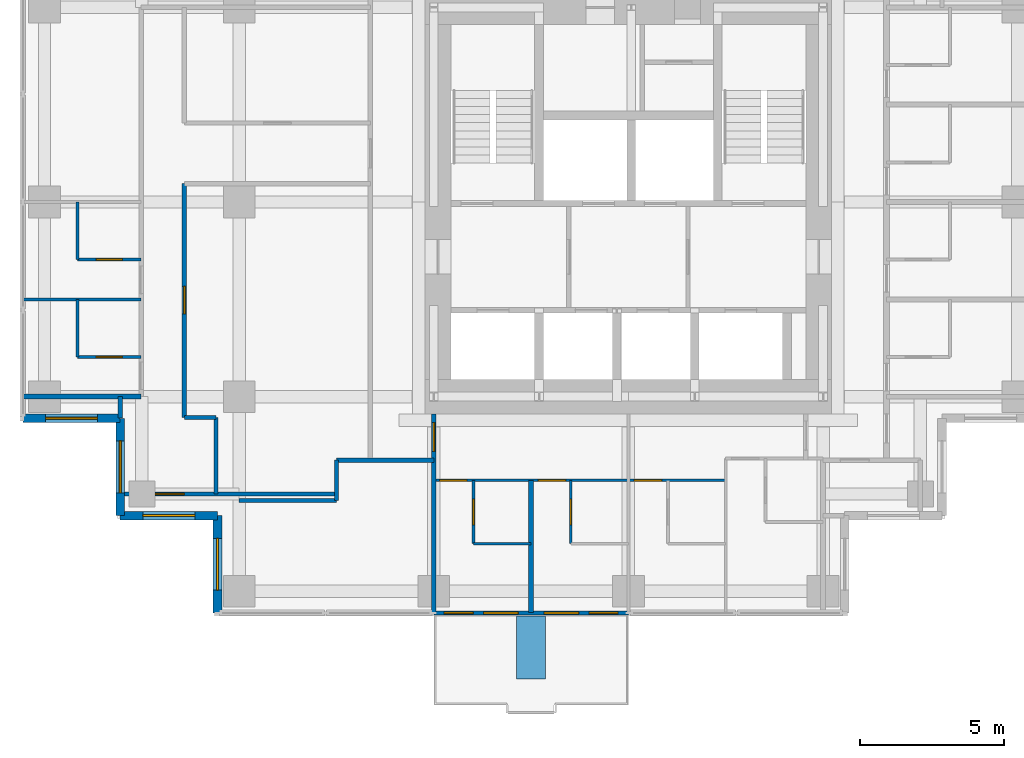
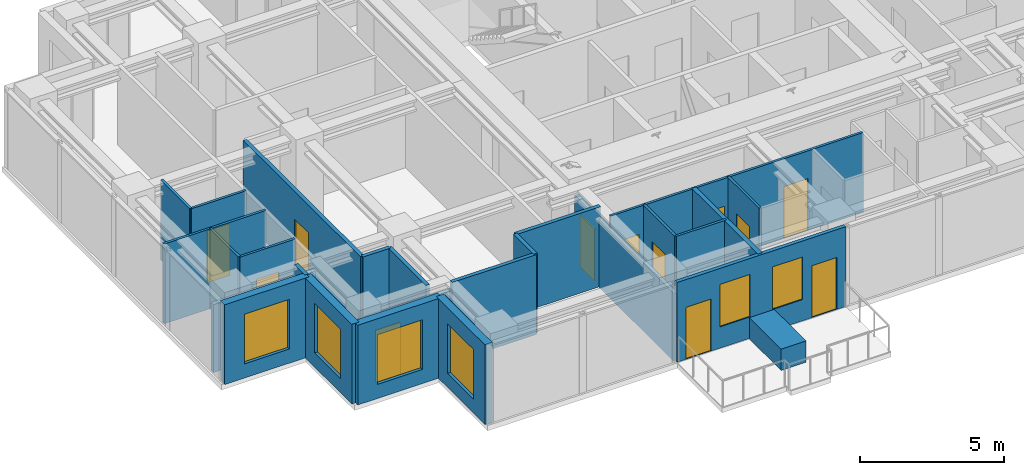
# One storey, part 3 of 8: 26 walls, 12 doors, 6 windows, 18 openings.
"""IFC4 building model written with IfcOpenShell, lengths in metres."""

from ifc_helpers import new_model, si_unit, direction, frame, frame_2d, origin, place, context, subcontext, project, spatial, rectangle, extrude, material, layer, layer_set, type_object, element, fill, save


model = new_model("IFC4")

# Units and contexts
model_context = context("Model", 3, precision=1e-05, world=origin(), true_north=direction((0.0, 1.0)))
body_context = subcontext(model_context, "Body", "Model", "MODEL_VIEW")
ifc_project = project(units=[si_unit("LENGTHUNIT", "METRE"), si_unit("AREAUNIT", "SQUARE_METRE"), si_unit("VOLUMEUNIT", "CUBIC_METRE"), si_unit("PLANEANGLEUNIT", "RADIAN"), si_unit("MASSUNIT", "GRAM", prefix="KILO")], contexts=[model_context])

# Site, building, storey
site_placement = place(None, origin())
site = spatial("IfcSite", under=ifc_project, at=site_placement, CompositionType="ELEMENT")
building_placement = place(site_placement, origin())
building = spatial("IfcBuilding", under=site, at=building_placement, Name="Nyansa Garden Tower", CompositionType="ELEMENT")
storey_placement = place(building_placement, frame((0.0, 0.0, 225.89990234375)))
storey = spatial("IfcBuildingStorey", under=building, at=storey_placement, Name="L61", CompositionType="ELEMENT", Elevation=225.89990234375)

# Walls
ifc_material_1 = material(Name="Dense blockwork, plastered both sides, 55 dB", Category="masonry")
ifc_layer_1 = layer(ifc_material_1, 0.175048828125)
ifc_layer_set_1 = layer_set([ifc_layer_1], Name="Acoustic party wall PW175")
wall_type_1 = type_object("IfcWallType", Name="Acoustic party wall PW175", PredefinedType="PARTITIONING", material=ifc_layer_set_1)
wall_1_placement = place(storey_placement, frame((-0.73388671875, 13.5, 0.0), z_axis=(0.0, 0.0, 1.0), x_axis=(1.0, 0.0, 0.0)))
element("IfcWall", 1, at=wall_1_placement, inside=storey, type_object=wall_type_1, Name="Party wall", PredefinedType="PARTITIONING", context=body_context, shape_type="SweptSolid", body=[
    extrude(rectangle(XDim=4.083984375, YDim=0.175048828125, at=frame_2d((2.0419921875, 0.0))), origin(), (0.0, 0.0, 1.0), 2.877197265625),
])
wall_2_placement = place(storey_placement, frame((16.875, 6.01611328125, 0.0), z_axis=(0.0, 0.0, 1.0), x_axis=(0.0, 1.0, 0.0)))
element("IfcWall", 2, at=wall_2_placement, inside=storey, type_object=wall_type_1, Name="Party wall", PredefinedType="PARTITIONING", context=body_context, shape_type="SweptSolid", body=[
    extrude(rectangle(XDim=4.583984375, YDim=0.175048828125, at=frame_2d((2.2919921875, 0.0))), origin(), (0.0, 0.0, 1.0), 3.375),
])

# Wall, openings, doors, windows
ifc_material_2 = material(Name="Black aluminium framed glazed screen", Category="aluminium")
ifc_layer_2 = layer(ifc_material_2, 0.14990234375)
ifc_layer_set_2 = layer_set([ifc_layer_2], Name="Balcony screen wall BW150")
wall_type_2 = type_object("IfcWallType", Name="Balcony screen wall BW150", PredefinedType="SOLIDWALL", material=ifc_layer_set_2)
wall_3_placement = place(storey_placement, frame((20.25, 6.0, 0.0), z_axis=(0.0, 0.0, 1.0), x_axis=(-1.0, 0.0, 0.0)))
wall_3 = element("IfcWall", 3, at=wall_3_placement, inside=storey, type_object=wall_type_2, Name="Glazed screen wall L61 S", PredefinedType="SOLIDWALL", context=body_context, shape_type="SweptSolid", body=[
    extrude(rectangle(XDim=6.75, YDim=0.14990234375, at=frame_2d((3.375, 0.0))), origin(), (0.0, 0.0, 1.0), 3.375),
])
opening_1_placement = place(wall_3_placement, frame((0.362548828125, 0.0, 0.0)))
opening_1 = element("IfcOpeningElement", 4, at=opening_1_placement, cuts=wall_3, Name="Opening D20", PredefinedType="OPENING", context=body_context, shape_type="SweptSolid", body=[
    extrude(rectangle(XDim=1.0, YDim=2.199951171875, at=frame_2d((0.5, 1.10009765625))), frame((0.0, 0.0849609375, 0.0), z_axis=(0.0, -1.0, 0.0), x_axis=(1.0, 0.0, 0.0)), (0.0, 0.0, 1.0), 0.169921875),
])
opening_2_placement = place(wall_3_placement, frame((1.72509765625, 0.0, 0.89990234375)))
opening_2 = element("IfcOpeningElement", 5, at=opening_2_placement, cuts=wall_3, Name="Opening W6", PredefinedType="OPENING", context=body_context, shape_type="SweptSolid", body=[
    extrude(rectangle(XDim=1.199951171875, YDim=1.800048828125, at=frame_2d((0.60009765625, 0.89990234375))), frame((0.0, 0.0849609375, 0.0), z_axis=(0.0, -1.0, 0.0), x_axis=(1.0, 0.0, 0.0)), (0.0, 0.0, 1.0), 0.169921875),
])
opening_3_placement = place(wall_3_placement, frame((5.387451171875, 0.0, 0.0)))
opening_3 = element("IfcOpeningElement", 6, at=opening_3_placement, cuts=wall_3, Name="Opening D20", PredefinedType="OPENING", context=body_context, shape_type="SweptSolid", body=[
    extrude(rectangle(XDim=1.0, YDim=2.199951171875, at=frame_2d((0.5, 1.10009765625))), frame((0.0, 0.0849609375, 0.0), z_axis=(0.0, -1.0, 0.0), x_axis=(1.0, 0.0, 0.0)), (0.0, 0.0, 1.0), 0.169921875),
])
opening_4_placement = place(wall_3_placement, frame((3.824951171875, 0.0, 0.89990234375)))
opening_4 = element("IfcOpeningElement", 7, at=opening_4_placement, cuts=wall_3, Name="Opening W6", PredefinedType="OPENING", context=body_context, shape_type="SweptSolid", body=[
    extrude(rectangle(XDim=1.199951171875, YDim=1.800048828125, at=frame_2d((0.60009765625, 0.89990234375))), frame((0.0, 0.0849609375, 0.0), z_axis=(0.0, -1.0, 0.0), x_axis=(1.0, 0.0, 0.0)), (0.0, 0.0, 1.0), 0.169921875),
])
ifc_material_3 = material(Name="Black aluminium framed glazed door", Category="aluminium")
door_type_1 = type_object("IfcDoorType", Name="Balcony door D20 1000x2200", OperationType="NOTDEFINED", PredefinedType="DOOR", material=ifc_material_3)
door_1_placement = place(opening_1_placement, origin())
door_1 = element("IfcDoor", 8, at=door_1_placement, inside=storey, type_object=door_type_1, Name="Balcony door L61", OperationType="SINGLE_SWING_LEFT", OverallHeight=2.199951171875, OverallWidth=1.0, PredefinedType="DOOR", context=body_context, shape_type="SweptSolid", body=[
    extrude(rectangle(XDim=1.0, YDim=2.199951171875, at=frame_2d((0.5, 1.10009765625))), frame((0.0, 0.02490234375, 0.0), z_axis=(0.0, -1.0, 0.0), x_axis=(1.0, 0.0, 0.0)), (0.0, 0.0, 1.0), 0.050048828125),
])
fill(opening_1, door_1)
door_2_placement = place(opening_3_placement, origin())
door_2 = element("IfcDoor", 9, at=door_2_placement, inside=storey, type_object=door_type_1, Name="Balcony door L61", OperationType="SINGLE_SWING_RIGHT", OverallHeight=2.199951171875, OverallWidth=1.0, PredefinedType="DOOR", context=body_context, shape_type="SweptSolid", body=[
    extrude(rectangle(XDim=1.0, YDim=2.199951171875, at=frame_2d((0.5, 1.10009765625))), frame((0.0, 0.02490234375, 0.0), z_axis=(0.0, -1.0, 0.0), x_axis=(1.0, 0.0, 0.0)), (0.0, 0.0, 1.0), 0.050048828125),
])
fill(opening_3, door_2)
ifc_material_4 = material(Name="Black aluminium frame, dark tinted double glazing", Category="aluminium")
window_type_1 = type_object("IfcWindowType", Name="Balcony window W6 1200x1800", PartitioningType="SINGLE_PANEL", PredefinedType="WINDOW", material=ifc_material_4)
window_1_placement = place(opening_2_placement, origin())
window_1 = element("IfcWindow", 10, at=window_1_placement, inside=storey, type_object=window_type_1, Name="Window L61", OverallHeight=1.800048828125, OverallWidth=1.199951171875, PartitioningType="SINGLE_PANEL", PredefinedType="WINDOW", context=body_context, shape_type="SweptSolid", body=[
    extrude(rectangle(XDim=1.199951171875, YDim=1.800048828125, at=frame_2d((0.60009765625, 0.89990234375))), frame((0.0, 0.030029296875, 0.0), z_axis=(0.0, -1.0, 0.0), x_axis=(1.0, 0.0, 0.0)), (0.0, 0.0, 1.0), 0.06005859375),
])
fill(opening_2, window_1)
window_2_placement = place(opening_4_placement, origin())
window_2 = element("IfcWindow", 11, at=window_2_placement, inside=storey, type_object=window_type_1, Name="Window L61", OverallHeight=1.800048828125, OverallWidth=1.199951171875, PartitioningType="SINGLE_PANEL", PredefinedType="WINDOW", context=body_context, shape_type="SweptSolid", body=[
    extrude(rectangle(XDim=1.199951171875, YDim=1.800048828125, at=frame_2d((0.60009765625, 0.89990234375))), frame((0.0, 0.030029296875, 0.0), z_axis=(0.0, -1.0, 0.0), x_axis=(1.0, 0.0, 0.0)), (0.0, 0.0, 1.0), 0.06005859375),
])
fill(opening_4, window_2)

# Wall
ifc_material_5 = material(Name="Blockwork, plastered both sides", Category="masonry")
ifc_layer_3 = layer(ifc_material_5, 0.14990234375)
ifc_layer_set_3 = layer_set([ifc_layer_3], Name="Partition PW150")
wall_type_3 = type_object("IfcWallType", Name="Partition PW150", PredefinedType="PARTITIONING", material=ifc_layer_set_3)
wall_4_placement = place(storey_placement, frame((2.625, 12.76611328125, 0.0), z_axis=(0.0, 0.0, 1.0), x_axis=(0.0, 1.0, 0.0)))
element("IfcWall", 12, at=wall_4_placement, inside=storey, type_object=wall_type_3, Name="Partition", PredefinedType="PARTITIONING", context=body_context, shape_type="SweptSolid", body=[
    extrude(rectangle(XDim=0.73388671875, YDim=0.14990234375, at=frame_2d((0.366943359375, 0.0))), origin(), (0.0, 0.0, 1.0), 3.375),
])

# Wall, opening, door
wall_5_placement = place(storey_placement, frame((2.77490234375, 10.125, 0.0), z_axis=(0.0, 0.0, 1.0), x_axis=(1.0, 0.0, 0.0)))
wall_5 = element("IfcWall", 13, at=wall_5_placement, inside=storey, type_object=wall_type_3, Name="Partition", PredefinedType="PARTITIONING", context=body_context, shape_type="SweptSolid", body=[
    extrude(rectangle(XDim=7.35009765625, YDim=0.14990234375, at=frame_2d((3.675048828125, 0.0))), origin(), (0.0, 0.0, 1.0), 2.877197265625),
])
opening_5_placement = place(wall_5_placement, frame((1.06591796875, 0.0, 0.0)))
opening_5 = element("IfcOpeningElement", 14, at=opening_5_placement, cuts=wall_5, Name="Opening D03", PredefinedType="OPENING", context=body_context, shape_type="SweptSolid", body=[
    extrude(rectangle(XDim=1.0, YDim=2.199951171875, at=frame_2d((0.5, 1.10009765625))), frame((0.0, 0.0849609375, 0.0), z_axis=(0.0, -1.0, 0.0), x_axis=(1.0, 0.0, 0.0)), (0.0, 0.0, 1.0), 0.169921875),
])
ifc_material_6 = material(Name="Timber flush door, 60 minute fire resisting", Category="wood")
door_type_2 = type_object("IfcDoorType", Name="Cluster entrance door D03 1000x2200", OperationType="SINGLE_SWING_LEFT", PredefinedType="DOOR", material=ifc_material_6)
door_3_placement = place(opening_5_placement, origin())
door_3 = element("IfcDoor", 15, at=door_3_placement, inside=storey, type_object=door_type_2, Name="Door L61-017", OperationType="SINGLE_SWING_LEFT", OverallHeight=2.199951171875, OverallWidth=1.0, PredefinedType="DOOR", context=body_context, shape_type="SweptSolid", body=[
    extrude(rectangle(XDim=1.0, YDim=2.199951171875, at=frame_2d((0.5, 1.10009765625))), frame((0.0, 0.02490234375, 0.0), z_axis=(0.0, -1.0, 0.0), x_axis=(1.0, 0.0, 0.0)), (0.0, 0.0, 1.0), 0.050048828125),
])
fill(opening_5, door_3)

wall_6_placement = place(storey_placement, frame((4.85009765625, 12.77490234375, 0.0), z_axis=(0.0, 0.0, 1.0), x_axis=(0.0, 1.0, 0.0)))
wall_6 = element("IfcWall", 16, at=wall_6_placement, inside=storey, type_object=wall_type_3, Name="Partition", PredefinedType="PARTITIONING", context=body_context, shape_type="SweptSolid", body=[
    extrude(rectangle(XDim=8.112548828125, YDim=0.14990234375, at=frame_2d((4.05615234375, 0.0))), origin(), (0.0, 0.0, 1.0), 3.375),
])
opening_6_placement = place(wall_6_placement, frame((3.60009765625, 0.0, 0.0)))
opening_6 = element("IfcOpeningElement", 17, at=opening_6_placement, cuts=wall_6, Name="Opening D01", PredefinedType="OPENING", context=body_context, shape_type="SweptSolid", body=[
    extrude(rectangle(XDim=0.949951171875, YDim=2.199951171875, at=frame_2d((0.47509765625, 1.10009765625))), frame((0.0, 0.0849609375, 0.0), z_axis=(0.0, -1.0, 0.0), x_axis=(1.0, 0.0, 0.0)), (0.0, 0.0, 1.0), 0.169921875),
])
ifc_material_7 = material(Name="Timber flush door, 30 minute fire resisting", Category="wood")
door_type_3 = type_object("IfcDoorType", Name="Bedroom door D01 950x2200", OperationType="SINGLE_SWING_LEFT", PredefinedType="DOOR", material=ifc_material_7)
door_4_placement = place(opening_6_placement, origin())
door_4 = element("IfcDoor", 18, at=door_4_placement, inside=storey, type_object=door_type_3, Name="Door L61-054", OperationType="SINGLE_SWING_LEFT", OverallHeight=2.199951171875, OverallWidth=0.949951171875, PredefinedType="DOOR", context=body_context, shape_type="SweptSolid", body=[
    extrude(rectangle(XDim=0.949951171875, YDim=2.199951171875, at=frame_2d((0.47509765625, 1.10009765625))), frame((0.0, 0.02490234375, 0.0), z_axis=(0.0, -1.0, 0.0), x_axis=(1.0, 0.0, 0.0)), (0.0, 0.0, 1.0), 0.050048828125),
])
fill(opening_6, door_4)

# Walls
wall_7_placement = place(storey_placement, frame((4.85009765625, 12.77490234375, 0.0), z_axis=(0.0, 0.0, 1.0), x_axis=(1.0, 0.0, 0.0)))
element("IfcWall", 19, at=wall_7_placement, inside=storey, type_object=wall_type_3, Name="Partition", PredefinedType="PARTITIONING", context=body_context, shape_type="SweptSolid", body=[
    extrude(rectangle(XDim=1.099853515625, YDim=0.14990234375, at=frame_2d((0.5498046875, 0.0))), origin(), (0.0, 0.0, 1.0), 3.375),
])
wall_8_placement = place(storey_placement, frame((5.949951171875, 10.125, 0.0), z_axis=(0.0, 0.0, 1.0), x_axis=(0.0, 1.0, 0.0)))
element("IfcWall", 20, at=wall_8_placement, inside=storey, type_object=wall_type_3, Name="Partition", PredefinedType="PARTITIONING", context=body_context, shape_type="SweptSolid", body=[
    extrude(rectangle(XDim=2.64990234375, YDim=0.14990234375, at=frame_2d((1.324951171875, 0.0))), origin(), (0.0, 0.0, 1.0), 3.375),
])
wall_9_placement = place(storey_placement, frame((6.75, 9.89990234375, 0.0), z_axis=(0.0, 0.0, 1.0), x_axis=(1.0, 0.0, 0.0)))
element("IfcWall", 21, at=wall_9_placement, inside=storey, type_object=wall_type_3, Name="Partition", PredefinedType="PARTITIONING", context=body_context, shape_type="SweptSolid", body=[
    extrude(rectangle(XDim=3.375, YDim=0.14990234375, at=frame_2d((1.6875, 0.0))), origin(), (0.0, 0.0, 1.0), 3.375),
])
wall_10_placement = place(storey_placement, frame((10.125, 9.89990234375, 0.0), z_axis=(0.0, 0.0, 1.0), x_axis=(0.0, 1.0, 0.0)))
element("IfcWall", 22, at=wall_10_placement, inside=storey, type_object=wall_type_3, Name="Partition", PredefinedType="PARTITIONING", context=body_context, shape_type="SweptSolid", body=[
    extrude(rectangle(XDim=1.400146484375, YDim=0.14990234375, at=frame_2d((0.7001953125, 0.0))), origin(), (0.0, 0.0, 1.0), 3.375),
])
wall_11_placement = place(storey_placement, frame((10.125, 11.300048828125, 0.0), z_axis=(0.0, 0.0, 1.0), x_axis=(1.0, 0.0, 0.0)))
element("IfcWall", 23, at=wall_11_placement, inside=storey, type_object=wall_type_3, Name="Partition", PredefinedType="PARTITIONING", context=body_context, shape_type="SweptSolid", body=[
    extrude(rectangle(XDim=3.375, YDim=0.14990234375, at=frame_2d((1.6875, 0.0))), origin(), (0.0, 0.0, 1.0), 3.375),
])

# Wall, opening, door
wall_12_placement = place(storey_placement, frame((13.5, 6.01611328125, 0.0), z_axis=(0.0, 0.0, 1.0), x_axis=(0.0, 1.0, 0.0)))
wall_12 = element("IfcWall", 24, at=wall_12_placement, inside=storey, type_object=wall_type_3, Name="Partition", PredefinedType="PARTITIONING", context=body_context, shape_type="SweptSolid", body=[
    extrude(rectangle(XDim=6.8837890625, YDim=0.14990234375, at=frame_2d((3.44189453125, 0.0))), origin(), (0.0, 0.0, 1.0), 2.877197265625),
])
opening_7_placement = place(wall_12_placement, frame((5.583984375, 0.0, 0.0)))
opening_7 = element("IfcOpeningElement", 25, at=opening_7_placement, cuts=wall_12, Name="Opening D03", PredefinedType="OPENING", context=body_context, shape_type="SweptSolid", body=[
    extrude(rectangle(XDim=1.0, YDim=2.199951171875, at=frame_2d((0.5, 1.10009765625))), frame((0.0, 0.0849609375, 0.0), z_axis=(0.0, -1.0, 0.0), x_axis=(1.0, 0.0, 0.0)), (0.0, 0.0, 1.0), 0.169921875),
])
door_5_placement = place(opening_7_placement, origin())
door_5 = element("IfcDoor", 26, at=door_5_placement, inside=storey, type_object=door_type_2, Name="Door L61-022", OperationType="SINGLE_SWING_LEFT", OverallHeight=2.199951171875, OverallWidth=1.0, PredefinedType="DOOR", context=body_context, shape_type="SweptSolid", body=[
    extrude(rectangle(XDim=1.0, YDim=2.199951171875, at=frame_2d((0.5, 1.10009765625))), frame((0.0, 0.02490234375, 0.0), z_axis=(0.0, -1.0, 0.0), x_axis=(1.0, 0.0, 0.0)), (0.0, 0.0, 1.0), 0.050048828125),
])
fill(opening_7, door_5)

# Wall, opening, window
ifc_material_8 = material(Name="Turquoise glazed tile on concrete blockwork", Category="masonry")
ifc_layer_4 = layer(ifc_material_8, 0.300048828125)
ifc_layer_set_4 = layer_set([ifc_layer_4], Name="Tiled corner wall TW300")
wall_type_4 = type_object("IfcWallType", Name="Tiled corner wall TW300", PredefinedType="SOLIDWALL", material=ifc_layer_set_4)
wall_13_placement = place(storey_placement, frame((-0.75, 12.75, 0.0), z_axis=(0.0, 0.0, 1.0), x_axis=(1.0, 0.0, 0.0)))
wall_13 = element("IfcWall", 27, at=wall_13_placement, inside=storey, type_object=wall_type_4, Name="Tiled corner wall L61", PredefinedType="SOLIDWALL", context=body_context, shape_type="SweptSolid", body=[
    extrude(rectangle(XDim=3.375, YDim=0.300048828125, at=frame_2d((1.6875, 0.0))), origin(), (0.0, 0.0, 1.0), 3.375),
])
opening_8_placement = place(wall_13_placement, frame((0.78759765625, 0.0, 0.60009765625)))
opening_8 = element("IfcOpeningElement", 28, at=opening_8_placement, cuts=wall_13, Name="Opening W2", PredefinedType="OPENING", context=body_context, shape_type="SweptSolid", body=[
    extrude(rectangle(XDim=1.800048828125, YDim=2.10009765625, at=frame_2d((0.89990234375, 1.050048828125))), frame((0.0, 0.159912109375, 0.0), z_axis=(0.0, -1.0, 0.0), x_axis=(1.0, 0.0, 0.0)), (0.0, 0.0, 1.0), 0.320068359375),
])
ifc_material_9 = material(Name="Black aluminium frame, dark tinted double glazing", Category="aluminium")
window_type_2 = type_object("IfcWindowType", Name="Window W2 1800x2100", PartitioningType="SINGLE_PANEL", PredefinedType="WINDOW", material=ifc_material_9)
window_3_placement = place(opening_8_placement, origin())
window_3 = element("IfcWindow", 29, at=window_3_placement, inside=storey, type_object=window_type_2, Name="Corner window L61", OverallHeight=2.10009765625, OverallWidth=1.800048828125, PartitioningType="SINGLE_PANEL", PredefinedType="WINDOW", context=body_context, shape_type="SweptSolid", body=[
    extrude(rectangle(XDim=1.800048828125, YDim=2.10009765625, at=frame_2d((0.89990234375, 1.050048828125))), frame((0.0, 0.030029296875, 0.0), z_axis=(0.0, -1.0, 0.0), x_axis=(1.0, 0.0, 0.0)), (0.0, 0.0, 1.0), 0.06005859375),
])
fill(opening_8, window_3)

wall_14_placement = place(storey_placement, frame((2.625, 12.75, 0.0), z_axis=(0.0, 0.0, 1.0), x_axis=(0.0, -1.0, 0.0)))
wall_14 = element("IfcWall", 30, at=wall_14_placement, inside=storey, type_object=wall_type_4, Name="Tiled corner wall L61", PredefinedType="SOLIDWALL", context=body_context, shape_type="SweptSolid", body=[
    extrude(rectangle(XDim=3.375, YDim=0.300048828125, at=frame_2d((1.6875, 0.0))), origin(), (0.0, 0.0, 1.0), 3.375),
])
opening_9_placement = place(wall_14_placement, frame((0.78759765625, 0.0, 0.60009765625)))
opening_9 = element("IfcOpeningElement", 31, at=opening_9_placement, cuts=wall_14, Name="Opening W2", PredefinedType="OPENING", context=body_context, shape_type="SweptSolid", body=[
    extrude(rectangle(XDim=1.800048828125, YDim=2.10009765625, at=frame_2d((0.89990234375, 1.050048828125))), frame((0.0, 0.159912109375, 0.0), z_axis=(0.0, -1.0, 0.0), x_axis=(1.0, 0.0, 0.0)), (0.0, 0.0, 1.0), 0.320068359375),
])
window_4_placement = place(opening_9_placement, origin())
window_4 = element("IfcWindow", 32, at=window_4_placement, inside=storey, type_object=window_type_2, Name="Corner window L61", OverallHeight=2.10009765625, OverallWidth=1.800048828125, PartitioningType="SINGLE_PANEL", PredefinedType="WINDOW", context=body_context, shape_type="SweptSolid", body=[
    extrude(rectangle(XDim=1.800048828125, YDim=2.10009765625, at=frame_2d((0.89990234375, 1.050048828125))), frame((0.0, 0.030029296875, 0.0), z_axis=(0.0, -1.0, 0.0), x_axis=(1.0, 0.0, 0.0)), (0.0, 0.0, 1.0), 0.06005859375),
])
fill(opening_9, window_4)

wall_15_placement = place(storey_placement, frame((2.625, 9.375, 0.0), z_axis=(0.0, 0.0, 1.0), x_axis=(1.0, 0.0, 0.0)))
wall_15 = element("IfcWall", 33, at=wall_15_placement, inside=storey, type_object=wall_type_4, Name="Tiled corner wall L61", PredefinedType="SOLIDWALL", context=body_context, shape_type="SweptSolid", body=[
    extrude(rectangle(XDim=3.375, YDim=0.300048828125, at=frame_2d((1.6875, 0.0))), origin(), (0.0, 0.0, 1.0), 3.375),
])
opening_10_placement = place(wall_15_placement, frame((0.78759765625, 0.0, 0.60009765625)))
opening_10 = element("IfcOpeningElement", 34, at=opening_10_placement, cuts=wall_15, Name="Opening W2", PredefinedType="OPENING", context=body_context, shape_type="SweptSolid", body=[
    extrude(rectangle(XDim=1.800048828125, YDim=2.10009765625, at=frame_2d((0.89990234375, 1.050048828125))), frame((0.0, 0.159912109375, 0.0), z_axis=(0.0, -1.0, 0.0), x_axis=(1.0, 0.0, 0.0)), (0.0, 0.0, 1.0), 0.320068359375),
])
window_5_placement = place(opening_10_placement, origin())
window_5 = element("IfcWindow", 35, at=window_5_placement, inside=storey, type_object=window_type_2, Name="Corner window L61", OverallHeight=2.10009765625, OverallWidth=1.800048828125, PartitioningType="SINGLE_PANEL", PredefinedType="WINDOW", context=body_context, shape_type="SweptSolid", body=[
    extrude(rectangle(XDim=1.800048828125, YDim=2.10009765625, at=frame_2d((0.89990234375, 1.050048828125))), frame((0.0, 0.030029296875, 0.0), z_axis=(0.0, -1.0, 0.0), x_axis=(1.0, 0.0, 0.0)), (0.0, 0.0, 1.0), 0.06005859375),
])
fill(opening_10, window_5)

wall_16_placement = place(storey_placement, frame((6.0, 9.375, 0.0), z_axis=(0.0, 0.0, 1.0), x_axis=(0.0, -1.0, 0.0)))
wall_16 = element("IfcWall", 36, at=wall_16_placement, inside=storey, type_object=wall_type_4, Name="Tiled corner wall L61", PredefinedType="SOLIDWALL", context=body_context, shape_type="SweptSolid", body=[
    extrude(rectangle(XDim=3.375, YDim=0.300048828125, at=frame_2d((1.6875, 0.0))), origin(), (0.0, 0.0, 1.0), 3.375),
])
opening_11_placement = place(wall_16_placement, frame((0.78759765625, 0.0, 0.60009765625)))
opening_11 = element("IfcOpeningElement", 37, at=opening_11_placement, cuts=wall_16, Name="Opening W2", PredefinedType="OPENING", context=body_context, shape_type="SweptSolid", body=[
    extrude(rectangle(XDim=1.800048828125, YDim=2.10009765625, at=frame_2d((0.89990234375, 1.050048828125))), frame((0.0, 0.159912109375, 0.0), z_axis=(0.0, -1.0, 0.0), x_axis=(1.0, 0.0, 0.0)), (0.0, 0.0, 1.0), 0.320068359375),
])
window_6_placement = place(opening_11_placement, origin())
window_6 = element("IfcWindow", 38, at=window_6_placement, inside=storey, type_object=window_type_2, Name="Corner window L61", OverallHeight=2.10009765625, OverallWidth=1.800048828125, PartitioningType="SINGLE_PANEL", PredefinedType="WINDOW", context=body_context, shape_type="SweptSolid", body=[
    extrude(rectangle(XDim=1.800048828125, YDim=2.10009765625, at=frame_2d((0.89990234375, 1.050048828125))), frame((0.0, 0.030029296875, 0.0), z_axis=(0.0, -1.0, 0.0), x_axis=(1.0, 0.0, 0.0)), (0.0, 0.0, 1.0), 0.06005859375),
])
fill(opening_11, window_6)

# Walls
ifc_material_10 = material(Name="Concrete C40/50 planter, waterproofed", Category="concrete")
ifc_layer_5 = layer(ifc_material_10, 1.0)
ifc_layer_set_5 = layer_set([ifc_layer_5], Name="Tree planter TP1")
wall_type_5 = type_object("IfcWallType", Name="Tree planter TP1", PredefinedType="USERDEFINED", material=ifc_layer_set_5)
wall_17_placement = place(storey_placement, frame((16.875, 5.89990234375, 0.0), z_axis=(0.0, 0.0, 1.0), x_axis=(0.0, -1.0, 0.0)))
element("IfcWall", 39, at=wall_17_placement, inside=storey, type_object=wall_type_5, Name="Tree planter L61", ObjectType="TREE PLANTER", PredefinedType="USERDEFINED", context=body_context, shape_type="SweptSolid", body=[
    extrude(rectangle(XDim=2.199951171875, YDim=1.0, at=frame_2d((1.10009765625, 0.0))), origin(), (0.0, 0.0, 1.0), 0.900146484375),
])
ifc_material_11 = material(Name="Moisture resistant board on steel studs, tiled", Category="steel")
ifc_layer_6 = layer(ifc_material_11, 0.10009765625)
ifc_layer_set_6 = layer_set([ifc_layer_6], Name="Wet wall PW100")
wall_type_6 = type_object("IfcWallType", Name="Wet wall PW100", PredefinedType="PARTITIONING", material=ifc_layer_set_6)
wall_18_placement = place(storey_placement, frame((-0.73388671875, 16.875, 0.0), z_axis=(0.0, 0.0, 1.0), x_axis=(1.0, 0.0, 0.0)))
element("IfcWall", 40, at=wall_18_placement, inside=storey, type_object=wall_type_6, Name="Wet wall", PredefinedType="PARTITIONING", context=body_context, shape_type="SweptSolid", body=[
    extrude(rectangle(XDim=4.083984375, YDim=0.10009765625, at=frame_2d((2.0419921875, 0.0))), origin(), (0.0, 0.0, 1.0), 3.375),
])
wall_19_placement = place(storey_placement, frame((1.14990234375, 14.875, 0.0), z_axis=(0.0, 0.0, 1.0), x_axis=(0.0, 1.0, 0.0)))
element("IfcWall", 41, at=wall_19_placement, inside=storey, type_object=wall_type_6, Name="Wet wall", PredefinedType="PARTITIONING", context=body_context, shape_type="SweptSolid", body=[
    extrude(rectangle(XDim=2.0, YDim=0.10009765625, at=frame_2d((1.0, 0.0))), origin(), (0.0, 0.0, 1.0), 3.375),
])

# Wall, opening, door
wall_20_placement = place(storey_placement, frame((1.14990234375, 14.875, 0.0), z_axis=(0.0, 0.0, 1.0), x_axis=(1.0, 0.0, 0.0)))
wall_20 = element("IfcWall", 42, at=wall_20_placement, inside=storey, type_object=wall_type_6, Name="Wet wall", PredefinedType="PARTITIONING", context=body_context, shape_type="SweptSolid", body=[
    extrude(rectangle(XDim=2.2001953125, YDim=0.10009765625, at=frame_2d((1.10009765625, 0.0))), origin(), (0.0, 0.0, 1.0), 3.375),
])
opening_12_placement = place(wall_20_placement, frame((0.64990234375, 0.0, 0.0)))
opening_12 = element("IfcOpeningElement", 43, at=opening_12_placement, cuts=wall_20, Name="Opening D02", PredefinedType="OPENING", context=body_context, shape_type="SweptSolid", body=[
    extrude(rectangle(XDim=0.89990234375, YDim=2.199951171875, at=frame_2d((0.449951171875, 1.10009765625))), frame((0.0, 0.06005859375, 0.0), z_axis=(0.0, -1.0, 0.0), x_axis=(1.0, 0.0, 0.0)), (0.0, 0.0, 1.0), 0.1201171875),
])
ifc_material_12 = material(Name="Timber flush door", Category="wood")
door_type_4 = type_object("IfcDoorType", Name="En-suite door D02 900x2200", OperationType="SINGLE_SWING_RIGHT", PredefinedType="DOOR", material=ifc_material_12)
door_6_placement = place(opening_12_placement, origin())
door_6 = element("IfcDoor", 44, at=door_6_placement, inside=storey, type_object=door_type_4, Name="Door L61-049", OperationType="SINGLE_SWING_RIGHT", OverallHeight=2.199951171875, OverallWidth=0.89990234375, PredefinedType="DOOR", context=body_context, shape_type="SweptSolid", body=[
    extrude(rectangle(XDim=0.89990234375, YDim=2.199951171875, at=frame_2d((0.449951171875, 1.10009765625))), frame((0.0, 0.02490234375, 0.0), z_axis=(0.0, -1.0, 0.0), x_axis=(1.0, 0.0, 0.0)), (0.0, 0.0, 1.0), 0.050048828125),
])
fill(opening_12, door_6)

# Wall
wall_21_placement = place(storey_placement, frame((1.14990234375, 18.25, 0.0), z_axis=(0.0, 0.0, 1.0), x_axis=(0.0, 1.0, 0.0)))
element("IfcWall", 45, at=wall_21_placement, inside=storey, type_object=wall_type_6, Name="Wet wall", PredefinedType="PARTITIONING", context=body_context, shape_type="SweptSolid", body=[
    extrude(rectangle(XDim=2.0, YDim=0.10009765625, at=frame_2d((1.0, 0.0))), origin(), (0.0, 0.0, 1.0), 3.375),
])

# Wall, opening, door
wall_22_placement = place(storey_placement, frame((1.14990234375, 18.25, 0.0), z_axis=(0.0, 0.0, 1.0), x_axis=(1.0, 0.0, 0.0)))
wall_22 = element("IfcWall", 46, at=wall_22_placement, inside=storey, type_object=wall_type_6, Name="Wet wall", PredefinedType="PARTITIONING", context=body_context, shape_type="SweptSolid", body=[
    extrude(rectangle(XDim=2.2001953125, YDim=0.10009765625, at=frame_2d((1.10009765625, 0.0))), origin(), (0.0, 0.0, 1.0), 3.375),
])
opening_13_placement = place(wall_22_placement, frame((0.64990234375, 0.0, 0.0)))
opening_13 = element("IfcOpeningElement", 47, at=opening_13_placement, cuts=wall_22, Name="Opening D02", PredefinedType="OPENING", context=body_context, shape_type="SweptSolid", body=[
    extrude(rectangle(XDim=0.89990234375, YDim=2.199951171875, at=frame_2d((0.449951171875, 1.10009765625))), frame((0.0, 0.06005859375, 0.0), z_axis=(0.0, -1.0, 0.0), x_axis=(1.0, 0.0, 0.0)), (0.0, 0.0, 1.0), 0.1201171875),
])
door_7_placement = place(opening_13_placement, origin())
door_7 = element("IfcDoor", 48, at=door_7_placement, inside=storey, type_object=door_type_4, Name="Door L61-051", OperationType="SINGLE_SWING_RIGHT", OverallHeight=2.199951171875, OverallWidth=0.89990234375, PredefinedType="DOOR", context=body_context, shape_type="SweptSolid", body=[
    extrude(rectangle(XDim=0.89990234375, YDim=2.199951171875, at=frame_2d((0.449951171875, 1.10009765625))), frame((0.0, 0.02490234375, 0.0), z_axis=(0.0, -1.0, 0.0), x_axis=(1.0, 0.0, 0.0)), (0.0, 0.0, 1.0), 0.050048828125),
])
fill(opening_13, door_7)

# Wall, openings, doors
wall_23_placement = place(storey_placement, frame((13.5, 10.60009765625, 0.0), z_axis=(0.0, 0.0, 1.0), x_axis=(1.0, 0.0, 0.0)))
wall_23 = element("IfcWall", 49, at=wall_23_placement, inside=storey, type_object=wall_type_6, Name="Wet wall", PredefinedType="PARTITIONING", context=body_context, shape_type="SweptSolid", body=[
    extrude(rectangle(XDim=10.125, YDim=0.10009765625, at=frame_2d((5.0625, 0.0))), origin(), (0.0, 0.0, 1.0), 3.375),
])
opening_14_placement = place(wall_23_placement, frame((0.199951171875, 0.0, 0.0)))
opening_14 = element("IfcOpeningElement", 50, at=opening_14_placement, cuts=wall_23, Name="Opening D01", PredefinedType="OPENING", context=body_context, shape_type="SweptSolid", body=[
    extrude(rectangle(XDim=0.949951171875, YDim=2.199951171875, at=frame_2d((0.47509765625, 1.10009765625))), frame((0.0, 0.06005859375, 0.0), z_axis=(0.0, -1.0, 0.0), x_axis=(1.0, 0.0, 0.0)), (0.0, 0.0, 1.0), 0.1201171875),
])
opening_15_placement = place(wall_23_placement, frame((3.625, 0.0, 0.0)))
opening_15 = element("IfcOpeningElement", 51, at=opening_15_placement, cuts=wall_23, Name="Opening D01", PredefinedType="OPENING", context=body_context, shape_type="SweptSolid", body=[
    extrude(rectangle(XDim=0.949951171875, YDim=2.199951171875, at=frame_2d((0.47509765625, 1.10009765625))), frame((0.0, 0.06005859375, 0.0), z_axis=(0.0, -1.0, 0.0), x_axis=(1.0, 0.0, 0.0)), (0.0, 0.0, 1.0), 0.1201171875),
])
opening_16_placement = place(wall_23_placement, frame((6.949951171875, 0.0, 0.0)))
opening_16 = element("IfcOpeningElement", 52, at=opening_16_placement, cuts=wall_23, Name="Opening D14", PredefinedType="OPENING", context=body_context, shape_type="SweptSolid", body=[
    extrude(rectangle(XDim=0.949951171875, YDim=2.199951171875, at=frame_2d((0.47509765625, 1.10009765625))), frame((0.0, 0.06005859375, 0.0), z_axis=(0.0, -1.0, 0.0), x_axis=(1.0, 0.0, 0.0)), (0.0, 0.0, 1.0), 0.1201171875),
])
door_8_placement = place(opening_14_placement, origin())
door_8 = element("IfcDoor", 53, at=door_8_placement, inside=storey, type_object=door_type_3, Name="Door L61-018", OperationType="SINGLE_SWING_LEFT", OverallHeight=2.199951171875, OverallWidth=0.949951171875, PredefinedType="DOOR", context=body_context, shape_type="SweptSolid", body=[
    extrude(rectangle(XDim=0.949951171875, YDim=2.199951171875, at=frame_2d((0.47509765625, 1.10009765625))), frame((0.0, 0.02490234375, 0.0), z_axis=(0.0, -1.0, 0.0), x_axis=(1.0, 0.0, 0.0)), (0.0, 0.0, 1.0), 0.050048828125),
])
fill(opening_14, door_8)
door_9_placement = place(opening_15_placement, origin())
door_9 = element("IfcDoor", 54, at=door_9_placement, inside=storey, type_object=door_type_3, Name="Door L61-020", OperationType="SINGLE_SWING_LEFT", OverallHeight=2.199951171875, OverallWidth=0.949951171875, PredefinedType="DOOR", context=body_context, shape_type="SweptSolid", body=[
    extrude(rectangle(XDim=0.949951171875, YDim=2.199951171875, at=frame_2d((0.47509765625, 1.10009765625))), frame((0.0, 0.02490234375, 0.0), z_axis=(0.0, -1.0, 0.0), x_axis=(1.0, 0.0, 0.0)), (0.0, 0.0, 1.0), 0.050048828125),
])
fill(opening_15, door_9)
ifc_material_13 = material(Name="Timber flush door, 60 minute fire resisting, self-closing", Category="wood")
door_type_5 = type_object("IfcDoorType", Name="Studio entrance door D14 950x2200", OperationType="SINGLE_SWING_LEFT", PredefinedType="DOOR", material=ifc_material_13)
door_10_placement = place(opening_16_placement, origin())
door_10 = element("IfcDoor", 55, at=door_10_placement, inside=storey, type_object=door_type_5, Name="Door L61-023", OperationType="SINGLE_SWING_LEFT", OverallHeight=2.199951171875, OverallWidth=0.949951171875, PredefinedType="DOOR", context=body_context, shape_type="SweptSolid", body=[
    extrude(rectangle(XDim=0.949951171875, YDim=2.199951171875, at=frame_2d((0.47509765625, 1.10009765625))), frame((0.0, 0.02490234375, 0.0), z_axis=(0.0, -1.0, 0.0), x_axis=(1.0, 0.0, 0.0)), (0.0, 0.0, 1.0), 0.050048828125),
])
fill(opening_16, door_10)

# Wall, opening, door
wall_24_placement = place(storey_placement, frame((14.875, 8.39990234375, 0.0), z_axis=(0.0, 0.0, 1.0), x_axis=(0.0, 1.0, 0.0)))
wall_24 = element("IfcWall", 56, at=wall_24_placement, inside=storey, type_object=wall_type_6, Name="Wet wall", PredefinedType="PARTITIONING", context=body_context, shape_type="SweptSolid", body=[
    extrude(rectangle(XDim=2.2001953125, YDim=0.10009765625, at=frame_2d((1.10009765625, 0.0))), origin(), (0.0, 0.0, 1.0), 3.375),
])
opening_17_placement = place(wall_24_placement, frame((0.64990234375, 0.0, 0.0)))
opening_17 = element("IfcOpeningElement", 57, at=opening_17_placement, cuts=wall_24, Name="Opening D02", PredefinedType="OPENING", context=body_context, shape_type="SweptSolid", body=[
    extrude(rectangle(XDim=0.89990234375, YDim=2.199951171875, at=frame_2d((0.449951171875, 1.10009765625))), frame((0.0, 0.06005859375, 0.0), z_axis=(0.0, -1.0, 0.0), x_axis=(1.0, 0.0, 0.0)), (0.0, 0.0, 1.0), 0.1201171875),
])
door_11_placement = place(opening_17_placement, origin())
door_11 = element("IfcDoor", 58, at=door_11_placement, inside=storey, type_object=door_type_4, Name="Door L61-019", OperationType="SINGLE_SWING_RIGHT", OverallHeight=2.199951171875, OverallWidth=0.89990234375, PredefinedType="DOOR", context=body_context, shape_type="SweptSolid", body=[
    extrude(rectangle(XDim=0.89990234375, YDim=2.199951171875, at=frame_2d((0.449951171875, 1.10009765625))), frame((0.0, 0.02490234375, 0.0), z_axis=(0.0, -1.0, 0.0), x_axis=(1.0, 0.0, 0.0)), (0.0, 0.0, 1.0), 0.050048828125),
])
fill(opening_17, door_11)

# Wall
wall_25_placement = place(storey_placement, frame((14.875, 8.39990234375, 0.0), z_axis=(0.0, 0.0, 1.0), x_axis=(1.0, 0.0, 0.0)))
element("IfcWall", 59, at=wall_25_placement, inside=storey, type_object=wall_type_6, Name="Wet wall", PredefinedType="PARTITIONING", context=body_context, shape_type="SweptSolid", body=[
    extrude(rectangle(XDim=2.0, YDim=0.10009765625, at=frame_2d((1.0, 0.0))), origin(), (0.0, 0.0, 1.0), 3.375),
])

# Wall, opening, door
wall_26_placement = place(storey_placement, frame((18.25, 8.39990234375, 0.0), z_axis=(0.0, 0.0, 1.0), x_axis=(0.0, 1.0, 0.0)))
wall_26 = element("IfcWall", 60, at=wall_26_placement, inside=storey, type_object=wall_type_6, Name="Wet wall", PredefinedType="PARTITIONING", context=body_context, shape_type="SweptSolid", body=[
    extrude(rectangle(XDim=2.2001953125, YDim=0.10009765625, at=frame_2d((1.10009765625, 0.0))), origin(), (0.0, 0.0, 1.0), 3.375),
])
opening_18_placement = place(wall_26_placement, frame((0.64990234375, 0.0, 0.0)))
opening_18 = element("IfcOpeningElement", 61, at=opening_18_placement, cuts=wall_26, Name="Opening D02", PredefinedType="OPENING", context=body_context, shape_type="SweptSolid", body=[
    extrude(rectangle(XDim=0.89990234375, YDim=2.199951171875, at=frame_2d((0.449951171875, 1.10009765625))), frame((0.0, 0.06005859375, 0.0), z_axis=(0.0, -1.0, 0.0), x_axis=(1.0, 0.0, 0.0)), (0.0, 0.0, 1.0), 0.1201171875),
])
door_12_placement = place(opening_18_placement, origin())
door_12 = element("IfcDoor", 62, at=door_12_placement, inside=storey, type_object=door_type_4, Name="Door L61-021", OperationType="SINGLE_SWING_RIGHT", OverallHeight=2.199951171875, OverallWidth=0.89990234375, PredefinedType="DOOR", context=body_context, shape_type="SweptSolid", body=[
    extrude(rectangle(XDim=0.89990234375, YDim=2.199951171875, at=frame_2d((0.449951171875, 1.10009765625))), frame((0.0, 0.02490234375, 0.0), z_axis=(0.0, -1.0, 0.0), x_axis=(1.0, 0.0, 0.0)), (0.0, 0.0, 1.0), 0.050048828125),
])
fill(opening_18, door_12)

save(model, "model.ifc")
